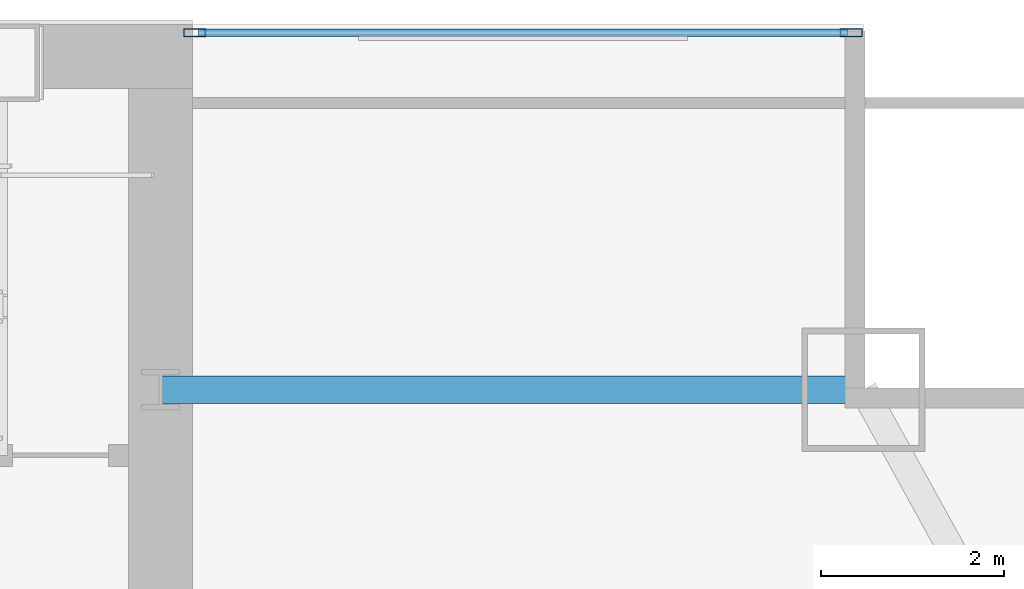
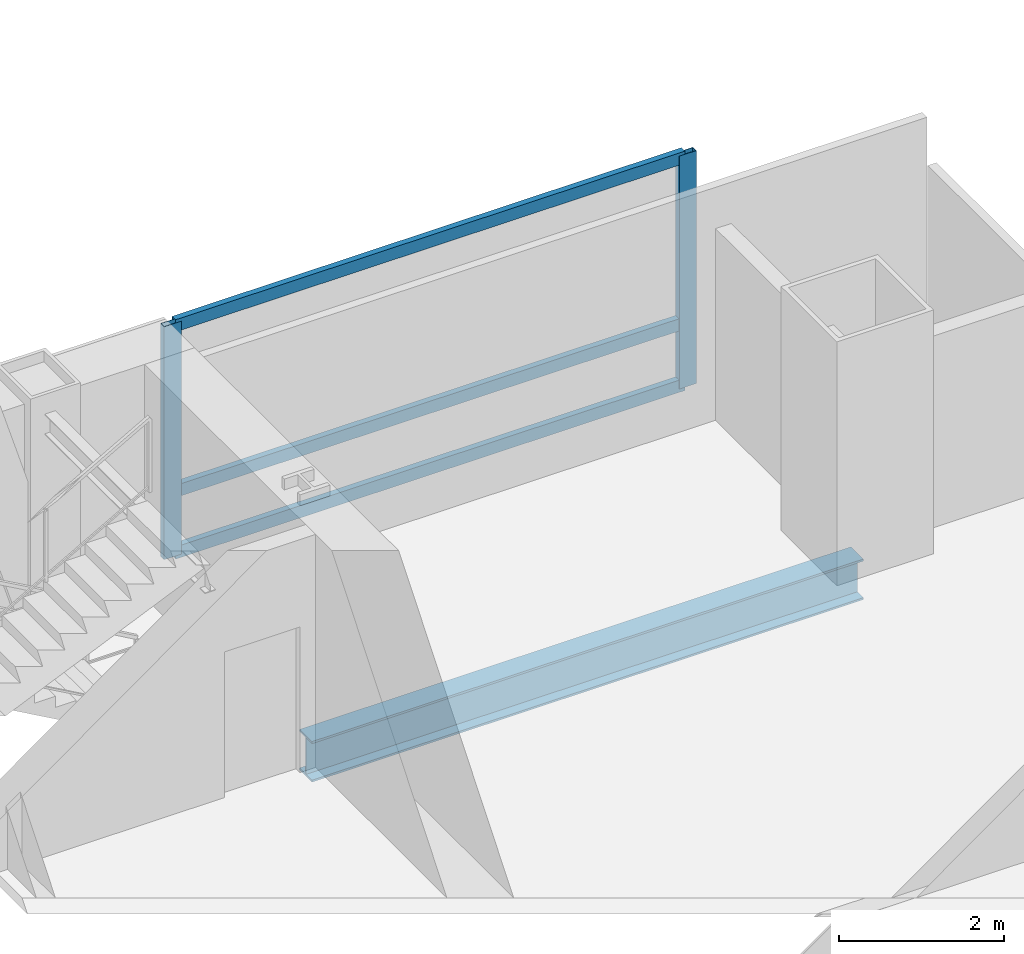
# One storey, part 20 of 30: 5 members, 1 beam, 1 element without a shape of its own.
"""IFC4 building model written with IfcOpenShell, lengths in metres."""

from ifc_helpers import new_model, si_unit, direction, frame, origin, origin_2d, place, context, subcontext, project, spatial, hollow_rectangle, i_section, extrude, material, material_profile, profile_set, type_object, element, aggregate, save


model = new_model("IFC4")

# Units and contexts
model_context = context("Model", 3, precision=1e-05, world=origin(), true_north=direction((0.0, 1.0)))
body_context = subcontext(model_context, "Body", "Model", "MODEL_VIEW")
ifc_project = project(units=[si_unit("LENGTHUNIT", "METRE"), si_unit("AREAUNIT", "SQUARE_METRE"), si_unit("VOLUMEUNIT", "CUBIC_METRE"), si_unit("PLANEANGLEUNIT", "RADIAN"), si_unit("MASSUNIT", "GRAM", prefix="KILO")], contexts=[model_context])

# Site, building, storey
site_placement = place(None, origin())
site = spatial("IfcSite", under=ifc_project, at=site_placement, CompositionType="ELEMENT")
building_placement = place(site_placement, origin())
building = spatial("IfcBuilding", under=site, at=building_placement, Name="Khoronbel Lancet Exchange", CompositionType="ELEMENT")
storey_placement = place(building_placement, frame((0.0, 0.0, 147.0)))
storey = spatial("IfcBuildingStorey", under=building, at=storey_placement, Name="L36", CompositionType="ELEMENT", Elevation=147.0)

# Beam
ifc_material_1 = material(Name="Steel S355", Category="steel")
ifc_material_profile_1 = material_profile(ifc_material_1, i_section(OverallWidth=0.300048828125, OverallDepth=0.60009765625, WebThickness=0.015380859375, FlangeThickness=0.030029296875, at=origin_2d()), Name="HEB 600")
ifc_profile_set_1 = profile_set([ifc_material_profile_1], Name="Steel S355")
beam_type = type_object("IfcBeamType", Name="BM-BSP2", PredefinedType="SPANDREL", material=ifc_profile_set_1)
beam_placement = place(storey_placement, frame((64.050048828125, 49.699951171875, -0.4599609375), z_axis=(-1.0, 0.0, 0.0), x_axis=(0.0, -1.0, 0.0)))
element("IfcBeam", 1, at=beam_placement, inside=storey, type_object=beam_type, Name="Level L36 north flank tie spandrel SP23", PredefinedType="SPANDREL", context=body_context, shape_type="SweptSolid", body=[
    extrude(i_section(OverallWidth=0.300048828125, OverallDepth=0.60009765625, WebThickness=0.015380859375, FlangeThickness=0.030029296875, at=origin_2d()), origin(), (0.0, 0.0, 1.0), 7.699951171875),
])

# Curtain wall, members
ifc_material_2 = material(Name="Low-E Solar Control Insulating Glass", Category="glass")
curtain_wall_type = type_object("IfcCurtainWallType", Name="CW-3", PredefinedType="NOTDEFINED", material=ifc_material_2)
curtain_wall_placement = place(storey_placement, origin())
curtain_wall = element("IfcCurtainWall", 2, at=curtain_wall_placement, inside=storey, type_object=curtain_wall_type, Name="Unitised curtain wall CW-L36-NEFLK", PredefinedType="NOTDEFINED")
ifc_material_3 = material(Name="Bronze-Anodised Aluminium 6063-T6", Category="aluminium")
ifc_material_profile_2 = material_profile(ifc_material_3, hollow_rectangle(XDim=0.0849609375, YDim=0.239990234375, WallThickness=0.006103515625, at=origin_2d()), Name="ALU MULLION 85x240")
ifc_profile_set_2 = profile_set([ifc_material_profile_2], Name="Bronze-Anodised Aluminium 6063-T6")
member_type_1 = type_object("IfcMemberType", Name="MEM-CWM1", PredefinedType="MULLION", material=ifc_profile_set_2)
member_1_placement = place(storey_placement, frame((63.91748046875, 53.610107421875, 0.0), z_axis=(0.0, 0.0, 1.0), x_axis=(0.0, -1.0, 0.0)))
member_1 = element("IfcMember", 3, at=member_1_placement, type_object=member_type_1, Name="CW3 mullion 1", PredefinedType="MULLION", context=body_context, shape_type="SweptSolid", body=[
    extrude(hollow_rectangle(XDim=0.0849609375, YDim=0.239990234375, WallThickness=0.006103515625, at=origin_2d()), origin(), (0.0, 0.0, 1.0), 3.43994140625),
])
member_2_placement = place(storey_placement, frame((56.722412109375, 53.610107421875, 0.0), z_axis=(0.0, 0.0, 1.0), x_axis=(0.0, -1.0, 0.0)))
member_2 = element("IfcMember", 4, at=member_2_placement, type_object=member_type_1, Name="CW3 mullion 2", PredefinedType="MULLION", context=body_context, shape_type="SweptSolid", body=[
    extrude(hollow_rectangle(XDim=0.0849609375, YDim=0.239990234375, WallThickness=0.006103515625, at=origin_2d()), origin(), (0.0, 0.0, 1.0), 3.43994140625),
])
ifc_material_profile_3 = material_profile(ifc_material_3, hollow_rectangle(XDim=0.0849609375, YDim=0.179931640625, WallThickness=0.0048828125, at=origin_2d()), Name="ALU TRANSOM 85x180")
ifc_profile_set_3 = profile_set([ifc_material_profile_3], Name="Bronze-Anodised Aluminium 6063-T6")
member_type_2 = type_object("IfcMemberType", Name="MEM-CWT1", PredefinedType="USERDEFINED", material=ifc_profile_set_3)
member_3_placement = place(storey_placement, frame((63.875, 53.610107421875, 0.04248046875), z_axis=(-1.0, 0.0, 0.0), x_axis=(0.0, -1.0, 0.0)))
member_3 = element("IfcMember", 5, at=member_3_placement, type_object=member_type_2, Name="CW3 transom 1.1", ObjectType="TRANSOM", PredefinedType="USERDEFINED", context=body_context, shape_type="SweptSolid", body=[
    extrude(hollow_rectangle(XDim=0.0849609375, YDim=0.179931640625, WallThickness=0.0048828125, at=origin_2d()), origin(), (0.0, 0.0, 1.0), 7.110107421875),
])
member_4_placement = place(storey_placement, frame((63.875, 53.610107421875, 0.949951171875), z_axis=(-1.0, 0.0, 0.0), x_axis=(0.0, -1.0, 0.0)))
member_4 = element("IfcMember", 6, at=member_4_placement, type_object=member_type_2, Name="CW3 transom 1.2", ObjectType="TRANSOM", PredefinedType="USERDEFINED", context=body_context, shape_type="SweptSolid", body=[
    extrude(hollow_rectangle(XDim=0.0849609375, YDim=0.179931640625, WallThickness=0.0048828125, at=origin_2d()), origin(), (0.0, 0.0, 1.0), 7.110107421875),
])
member_5_placement = place(storey_placement, frame((63.875, 53.610107421875, 3.3974609375), z_axis=(-1.0, 0.0, 0.0), x_axis=(0.0, -1.0, 0.0)))
member_5 = element("IfcMember", 7, at=member_5_placement, type_object=member_type_2, Name="CW3 transom 1.3", ObjectType="TRANSOM", PredefinedType="USERDEFINED", context=body_context, shape_type="SweptSolid", body=[
    extrude(hollow_rectangle(XDim=0.0849609375, YDim=0.179931640625, WallThickness=0.0048828125, at=origin_2d()), origin(), (0.0, 0.0, 1.0), 7.110107421875),
])
aggregate(curtain_wall, [member_1, member_2, member_3, member_4, member_5])

save(model, "model.ifc")
